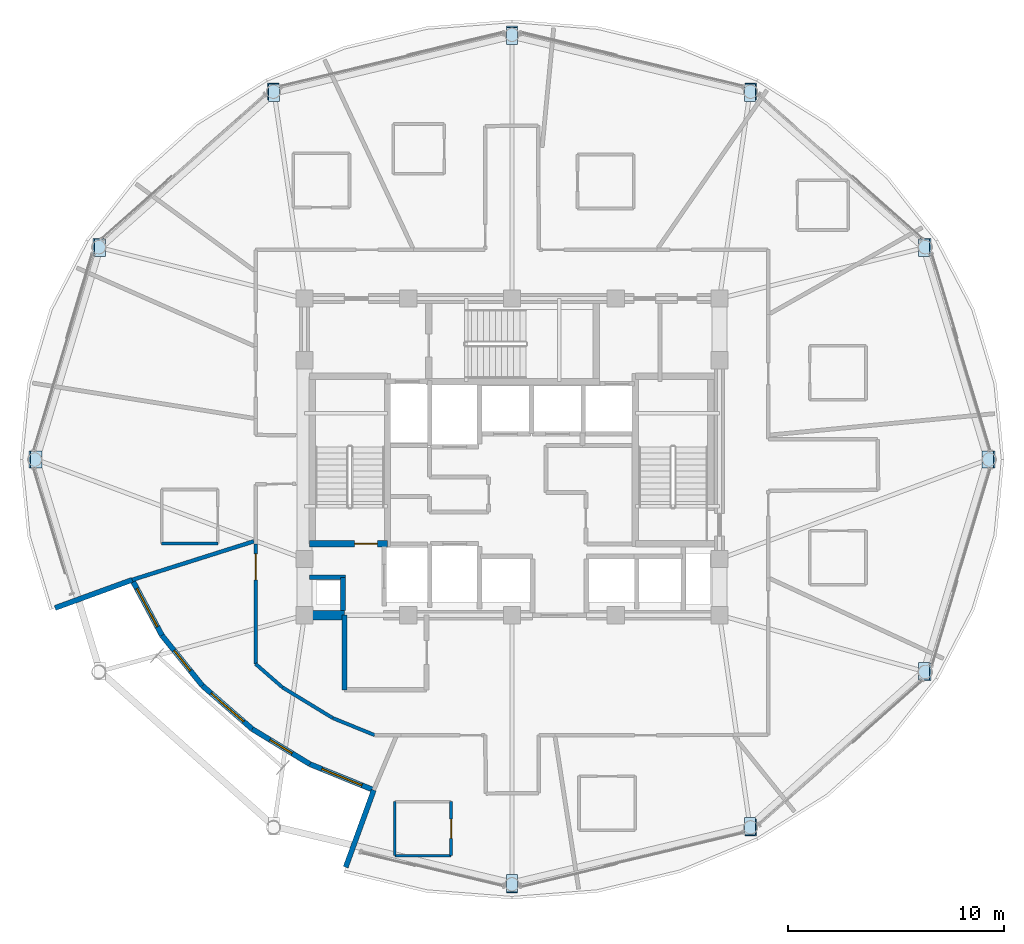
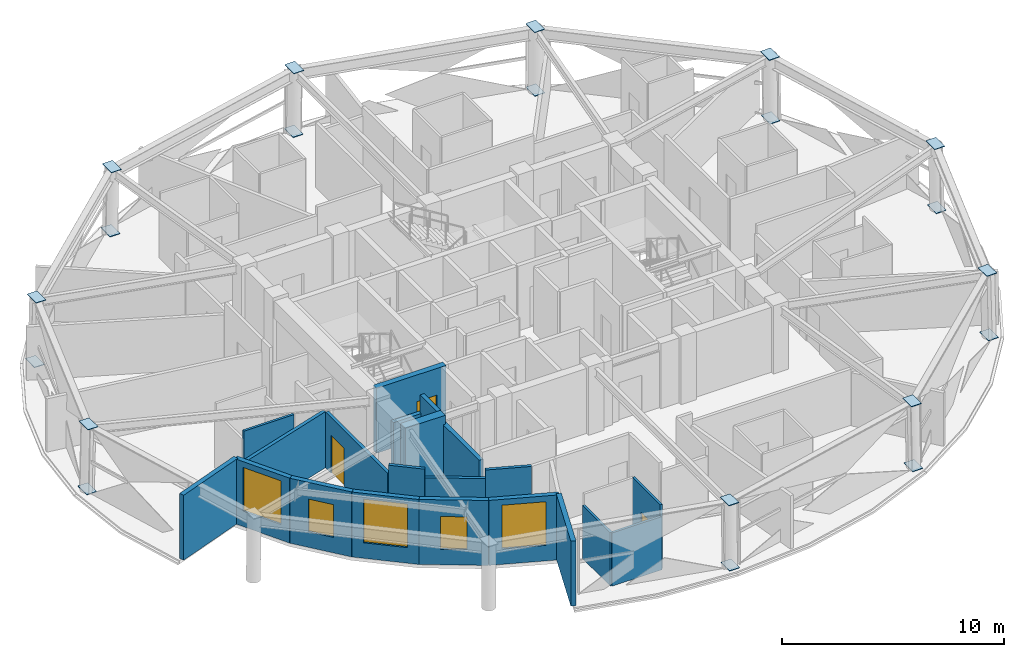
# One storey, part 10 of 18: 21 walls, 20 plates, 5 windows, 3 doors, 8 openings.
"""IFC4 building model written with IfcOpenShell, lengths in metres."""

from ifc_helpers import new_model, si_unit, direction, frame, frame_2d, origin, place, context, subcontext, project, spatial, polyline, rectangle, outline, extrude, material, layer, layer_set, type_object, element, fill, save


model = new_model("IFC4")

# Units and contexts
model_context = context("Model", 3, precision=1e-05, world=origin(), true_north=direction((0.0, 1.0)))
body_context = subcontext(model_context, "Body", "Model", "MODEL_VIEW")
ifc_project = project(units=[si_unit("LENGTHUNIT", "METRE"), si_unit("AREAUNIT", "SQUARE_METRE"), si_unit("VOLUMEUNIT", "CUBIC_METRE"), si_unit("PLANEANGLEUNIT", "RADIAN"), si_unit("MASSUNIT", "GRAM", prefix="KILO")], contexts=[model_context])

# Site, building, storey
site_placement = place(None, origin())
site = spatial("IfcSite", under=ifc_project, at=site_placement, CompositionType="ELEMENT")
building_placement = place(site_placement, origin())
building = spatial("IfcBuilding", under=site, at=building_placement, Name="Vantalir Tower", CompositionType="ELEMENT")
storey_placement = place(building_placement, frame((0.0, 0.0, 216.14990234375)))
storey = spatial("IfcBuildingStorey", under=building, at=storey_placement, Name="L54", CompositionType="ELEMENT", Elevation=216.14990234375)

# Plates
ifc_material_1 = material(Name="Steel S460", Category="steel")
ifc_layer_1 = layer(ifc_material_1, 0.031982421875)
ifc_layer_set_1 = layer_set([ifc_layer_1], Name="Steel S460")
plate_type = type_object("IfcPlateType", Name="PLT-KN-Z3", PredefinedType="USERDEFINED", material=ifc_layer_set_1)
plate_1_placement = place(storey_placement, frame((53.25244140625, 25.39990234375, 3.588623046875), z_axis=(-0.020652870937, 0.0, 0.999786706714), x_axis=(0.0, -1.0, 0.0)))
element("IfcPlate", 1, at=plate_1_placement, inside=storey, type_object=plate_type, Name="L54 Ring Column Top Cap RC01", ObjectType="FLANGE_PLATE", PredefinedType="USERDEFINED", context=body_context, shape_type="SweptSolid", body=[
    extrude(outline(polyline([(0.0, 0.0), (0.7998046875, 0.0), (0.7998046875, 0.5201304715874229), (0.0, 0.5201304715874229), (0.0, 0.0)])), origin(), (0.0, 0.0, -1.0), 0.031982421875),
])
plate_2_placement = place(storey_placement, frame((53.325927734375, 25.39990234375, 0.047607421875), z_axis=(-0.021122047282, 0.0, 0.999776904674), x_axis=(0.0, -1.0, 0.0)))
element("IfcPlate", 2, at=plate_2_placement, inside=storey, type_object=plate_type, Name="L54 Ring Column Base Cap RC01", ObjectType="FLANGE_PLATE", PredefinedType="USERDEFINED", context=body_context, shape_type="SweptSolid", body=[
    extrude(outline(polyline([(0.0, 0.0), (0.7998046875, 0.0), (0.7998046875, 0.5201355710650252), (0.0, 0.5201355710650252), (0.0, 0.0)])), origin(), (0.0, 0.0, -1.0), 0.031982421875),
])
for number, where, z_axis, x_axis, name in (
    (3, (50.3037109375, 35.19775390625, 3.593017578125), (-0.017847291684, -0.008849151639, 0.999801563659), (-2.4104e-08, -0.999960833011, -0.008850561748), "L54 Ring Column Top Cap RC02"),
    (4, (50.3671875, 35.2294921875, 0.052001953125), (-0.017847291684, -0.008849151639, 0.999801563659), (-2.4104e-08, -0.999960833011, -0.008850561748), "L54 Ring Column Base Cap RC02"),
):
    element("IfcPlate", number, at=place(storey_placement, frame(where, z_axis=z_axis, x_axis=x_axis)), inside=storey, type_object=plate_type, Name=name, ObjectType="FLANGE_PLATE", PredefinedType="USERDEFINED", context=body_context, shape_type="SweptSolid", body=[
        extrude(outline(polyline([(0.0, 0.0), (0.7998360242275051, 0.0), (0.7999980330580447, 0.51985821063348), (-8.212223220727267e-05, 0.5198581720634957), (0.0, 0.0)])), origin(), (0.0, 0.0, -1.0), 0.031982421875),
    ])
plate_3_placement = place(storey_placement, frame((42.245849609375, 42.37060546875, 3.59765625), z_axis=(-0.010570137112, -0.015715172528, 0.999820636691), x_axis=(-1.638126e-06, -0.999876494978, -0.015716067827)))
element("IfcPlate", 5, at=plate_3_placement, inside=storey, type_object=plate_type, Name="L54 Ring Column Top Cap RC03", ObjectType="FLANGE_PLATE", PredefinedType="USERDEFINED", context=body_context, shape_type="SweptSolid", body=[
    extrude(outline(polyline([(0.0, 0.0), (0.7999054279967629, -2.710505431213761e-20), (0.8000604376073418, 0.5198057404120908), (-8.526393120597289e-05, 0.519803119180468), (0.0, 0.0)])), origin(), (0.0, 0.0, -1.0), 0.031982421875),
])
plate_4_placement = place(storey_placement, frame((42.283447265625, 42.42626953125, 0.056640625), z_axis=(-0.010565175161, -0.015715173353, 0.999820689124), x_axis=(-1.586198e-06, -0.999876494987, -0.01571606727)))
element("IfcPlate", 6, at=plate_4_placement, inside=storey, type_object=plate_type, Name="L54 Ring Column Base Cap RC03", ObjectType="FLANGE_PLATE", PredefinedType="USERDEFINED", context=body_context, shape_type="SweptSolid", body=[
    extrude(outline(polyline([(0.0, 0.0), (0.8001495384691698, -2.710505431213761e-20), (0.8000604642143068, 0.5200498258562347), (0.00015887314803169925, 0.5200472877174493), (0.0, 0.0)])), origin(), (0.0, 0.0, -1.0), 0.031982421875),
])
for number, where, z_axis, x_axis, name in (
    (7, (31.239990234375, 44.99560546875, 3.601318359375), (0.0, -0.018001354833, 0.999837962484), (0.0, -0.999837962484, -0.018001354833), "L54 Ring Column Top Cap RC04"),
    (8, (31.239990234375, 45.06005859375, 0.060302734375), (0.0, -0.018001354833, 0.999837962484), (0.0, -0.999837962484, -0.018001354833), "L54 Ring Column Base Cap RC04"),
):
    element("IfcPlate", number, at=place(storey_placement, frame(where, z_axis=z_axis, x_axis=x_axis)), inside=storey, type_object=plate_type, Name=name, ObjectType="FLANGE_PLATE", PredefinedType="USERDEFINED", context=body_context, shape_type="SweptSolid", body=[
        extrude(outline(polyline([(0.0, 0.0), (0.8001784870593867, 0.0), (0.8001784870593867, 0.52001953125), (0.0, 0.52001953125), (0.0, 0.0)])), origin(), (0.0, 0.0, -1.0), 0.031982421875),
    ])
plate_5_placement = place(storey_placement, frame((20.234375, 42.37060546875, 3.60302734375), z_axis=(0.010335341393, -0.015562673375, 0.999825476729), x_axis=(-2.4539e-08, -0.999878881331, -0.015563504385)))
element("IfcPlate", 9, at=plate_5_placement, inside=storey, type_object=plate_type, Name="L54 Ring Column Top Cap RC05", ObjectType="FLANGE_PLATE", PredefinedType="USERDEFINED", context=body_context, shape_type="SweptSolid", body=[
    extrude(outline(polyline([(0.0, 0.0), (0.8001457111436877, 2.710505431213761e-20), (0.7999851803752375, 0.5198031734977682), (8.358028656228745e-05, 0.5198031342327298), (0.0, 0.0)])), origin(), (0.0, 0.0, -1.0), 0.031982421875),
])
plate_6_placement = place(storey_placement, frame((20.197509765625, 42.426025390625, 0.06201171875), z_axis=(0.010330489638, -0.015562674155, 0.999825526858), x_axis=(2.4535e-08, -0.999878881323, -0.015563504892)))
element("IfcPlate", 10, at=plate_6_placement, inside=storey, type_object=plate_type, Name="L54 Ring Column Base Cap RC05", ObjectType="FLANGE_PLATE", PredefinedType="USERDEFINED", context=body_context, shape_type="SweptSolid", body=[
    extrude(outline(polyline([(0.0, 0.0), (0.7999016000886763, 5.421010862427522e-20), (0.7999852058909894, 0.5200472618291553), (-0.00016050525269729725, 0.5200473010877383), (0.0, 0.0)])), origin(), (0.0, 0.0, -1.0), 0.031982421875),
])
for number, where, z_axis, x_axis, name in (
    (11, (12.176513671875, 35.19775390625, 3.602294921875), (0.017847291684, -0.008849151639, 0.999801563659), (-2.4096e-08, -0.999960833019, -0.008850560888), "L54 Ring Column Top Cap RC06"),
    (12, (12.113037109375, 35.2294921875, 0.061279296875), (0.017847291684, -0.008849151639, 0.999801563659), (-2.4096e-08, -0.999960833019, -0.008850560888), "L54 Ring Column Base Cap RC06"),
):
    element("IfcPlate", number, at=place(storey_placement, frame(where, z_axis=z_axis, x_axis=x_axis)), inside=storey, type_object=plate_type, Name=name, ObjectType="FLANGE_PLATE", PredefinedType="USERDEFINED", context=body_context, shape_type="SweptSolid", body=[
        extrude(outline(polyline([(0.0, 0.0), (0.8000801552902528, 2.710505431213761e-20), (0.7999181213985704, 0.5198582106256695), (8.209717106629035e-05, 0.519858172067454), (0.0, 0.0)])), origin(), (0.0, 0.0, -1.0), 0.031982421875),
    ])
plate_7_placement = place(storey_placement, frame((9.2275390625, 25.39990234375, 3.599365234375), z_axis=(0.020652870937, 0.0, 0.999786706714), x_axis=(0.0, -1.0, 0.0)))
element("IfcPlate", 13, at=plate_7_placement, inside=storey, type_object=plate_type, Name="L54 Ring Column Top Cap RC07", ObjectType="FLANGE_PLATE", PredefinedType="USERDEFINED", context=body_context, shape_type="SweptSolid", body=[
    extrude(outline(polyline([(0.0, 0.0), (0.7998046875, 0.0), (0.7998046875, 0.5201304715874229), (0.0, 0.5201304715874229), (0.0, 0.0)])), origin(), (0.0, 0.0, -1.0), 0.031982421875),
])
plate_8_placement = place(storey_placement, frame((9.154052734375, 25.39990234375, 0.05859375), z_axis=(0.021122047282, 0.0, 0.999776904674), x_axis=(0.0, -1.0, 0.0)))
element("IfcPlate", 14, at=plate_8_placement, inside=storey, type_object=plate_type, Name="L54 Ring Column Base Cap RC07", ObjectType="FLANGE_PLATE", PredefinedType="USERDEFINED", context=body_context, shape_type="SweptSolid", body=[
    extrude(outline(polyline([(0.0, 0.0), (0.7998046875, 0.0), (0.7998046875, 0.5201355710650252), (0.0, 0.5201355710650252), (0.0, 0.0)])), origin(), (0.0, 0.0, -1.0), 0.031982421875),
])
for number, where, z_axis, x_axis, name in (
    (15, (31.239990234375, 5.804443359375, 3.5869140625), (0.0, 0.018001354833, 0.999837962484), (0.0, -0.999837962484, 0.018001354833), "L54 Ring Column Top Cap RC10"),
    (16, (31.239990234375, 5.739990234375, 0.0458984375), (0.0, 0.018001354833, 0.999837962484), (0.0, -0.999837962484, 0.018001354833), "L54 Ring Column Base Cap RC10"),
):
    element("IfcPlate", number, at=place(storey_placement, frame(where, z_axis=z_axis, x_axis=x_axis)), inside=storey, type_object=plate_type, Name=name, ObjectType="FLANGE_PLATE", PredefinedType="USERDEFINED", context=body_context, shape_type="SweptSolid", body=[
        extrude(outline(polyline([(0.0, 0.0), (0.8001784870593867, 0.0), (0.8001784870593867, 0.52001953125), (0.0, 0.52001953125), (0.0, 0.0)])), origin(), (0.0, 0.0, -1.0), 0.031982421875),
    ])
plate_9_placement = place(storey_placement, frame((42.245849609375, 8.42919921875, 3.5849609375), z_axis=(-0.010570137112, 0.015715172528, 0.999820636691), x_axis=(1.638126e-06, -0.999876494978, 0.015716067827)))
element("IfcPlate", 17, at=plate_9_placement, inside=storey, type_object=plate_type, Name="L54 Ring Column Top Cap RC11", ObjectType="FLANGE_PLATE", PredefinedType="USERDEFINED", context=body_context, shape_type="SweptSolid", body=[
    extrude(outline(polyline([(0.0, 0.0), (0.7999054279967629, 2.710505431213761e-20), (0.7999906919279689, 0.5198031191804678), (-0.00015500961057894925, 0.5198057404120908), (0.0, 0.0)])), origin(), (0.0, 0.0, -1.0), 0.031982421875),
])
plate_10_placement = place(storey_placement, frame((42.283447265625, 8.373779296875, 0.0439453125), z_axis=(-0.010565175161, 0.015715173353, 0.999820689124), x_axis=(1.586198e-06, -0.999876494987, 0.01571606727)))
element("IfcPlate", 18, at=plate_10_placement, inside=storey, type_object=plate_type, Name="L54 Ring Column Base Cap RC11", ObjectType="FLANGE_PLATE", PredefinedType="USERDEFINED", context=body_context, shape_type="SweptSolid", body=[
    extrude(outline(polyline([(0.0, 0.0), (0.8001495384691698, 2.710505431213761e-20), (0.799990665321138, 0.5200472877174493), (8.907425486306565e-05, 0.5200498258562346), (0.0, 0.0)])), origin(), (0.0, 0.0, -1.0), 0.031982421875),
])
plate_11_placement = place(storey_placement, frame((50.3037109375, 15.60205078125, 3.585693359375), z_axis=(-0.018082053177, 0.009306788433, 0.999793190136), x_axis=(-2.733406e-06, -0.999956677198, 0.009308260851)))
element("IfcPlate", 19, at=plate_11_placement, inside=storey, type_object=plate_type, Name="L54 Ring Column Top Cap RC12", ObjectType="FLANGE_PLATE", PredefinedType="USERDEFINED", context=body_context, shape_type="SweptSolid", body=[
    extrude(outline(polyline([(0.0, 0.0), (0.7998382134583768, 0.0), (0.7999254211613799, 0.5198625713973922), (-0.00015919486976276288, 0.5198581974433824), (0.0, 0.0)])), origin(), (0.0, 0.0, -1.0), 0.031982421875),
])
plate_12_placement = place(storey_placement, frame((50.3671875, 15.5693359375, 0.044677734375), z_axis=(-0.017847335257, 0.009459385088, 0.999795975516), x_axis=(2.5766e-08, -0.999955244756, 0.009460892445)))
element("IfcPlate", 20, at=plate_12_placement, inside=storey, type_object=plate_type, Name="L54 Ring Column Base Cap RC12", ObjectType="FLANGE_PLATE", PredefinedType="USERDEFINED", context=body_context, shape_type="SweptSolid", body=[
    extrude(outline(polyline([(0.0, 0.0), (0.7998404954797353, 2.710505431213761e-20), (0.7999282808235328, 0.5198581711378856), (-0.00015634435462925776, 0.519858212367739), (0.0, 0.0)])), origin(), (0.0, 0.0, -1.0), 0.031982421875),
])

# Walls
ifc_material_2 = material(Name="Moisture-resistant en-suite partition", Category="gypsum")
ifc_layer_2 = layer(ifc_material_2, 0.125)
ifc_layer_set_2 = layer_set([ifc_layer_2], Name="Moisture-resistant en-suite partition")
wall_type_1 = type_object("IfcWallType", Name="WL-BATH-125", PredefinedType="PARTITIONING", material=ifc_layer_set_2)
wall_1_placement = place(storey_placement, frame((15.291015625, 21.112060546875, 0.0), z_axis=(0.0, 0.0, 1.0), x_axis=(1.0, 0.0, 0.0)))
element("IfcWall", 21, at=wall_1_placement, inside=storey, type_object=wall_type_1, Name="L54 En-suite 08 South Wall", PredefinedType="PARTITIONING", context=body_context, shape_type="SweptSolid", body=[
    extrude(rectangle(XDim=2.60009765625, YDim=0.125, at=frame_2d((1.300048828125, 0.0))), origin(), (0.0, 0.0, 1.0), 3.550048828125),
])
wall_2_placement = place(storey_placement, frame((26.08203125, 6.6708984375, 0.0), z_axis=(0.0, 0.0, 1.0), x_axis=(1.0, 0.0, 0.0)))
element("IfcWall", 22, at=wall_2_placement, inside=storey, type_object=wall_type_1, Name="L54 En-suite 10 South Wall", PredefinedType="PARTITIONING", context=body_context, shape_type="SweptSolid", body=[
    extrude(rectangle(XDim=2.599853515625, YDim=0.125, at=frame_2d((1.2998046875, 0.0))), origin(), (0.0, 0.0, 1.0), 2.925048828125),
])
wall_3_placement = place(storey_placement, frame((26.08203125, 6.6708984375, 0.0), z_axis=(0.0, 0.0, 1.0), x_axis=(0.0, 1.0, 0.0)))
element("IfcWall", 23, at=wall_3_placement, inside=storey, type_object=wall_type_1, Name="L54 En-suite 10 West Wall", PredefinedType="PARTITIONING", context=body_context, shape_type="SweptSolid", body=[
    extrude(rectangle(XDim=2.5, YDim=0.125, at=frame_2d((1.25, 0.0))), origin(), (0.0, 0.0, 1.0), 2.925048828125),
])

# Wall, opening, door
wall_4_placement = place(storey_placement, frame((28.681884765625, 6.6708984375, 0.0), z_axis=(0.0, 0.0, 1.0), x_axis=(0.0, 1.0, 0.0)))
wall_4 = element("IfcWall", 24, at=wall_4_placement, inside=storey, type_object=wall_type_1, Name="L54 En-suite 10 East Wall", PredefinedType="PARTITIONING", context=body_context, shape_type="SweptSolid", body=[
    extrude(rectangle(XDim=2.5, YDim=0.125, at=frame_2d((1.25, 0.0))), origin(), (0.0, 0.0, 1.0), 3.550048828125),
])
opening_1_placement = place(wall_4_placement, frame((0.800048828125, 0.0, 0.0)))
opening_1 = element("IfcOpeningElement", 25, at=opening_1_placement, cuts=wall_4, Name="Opening D-WC", PredefinedType="OPENING", context=body_context, shape_type="SweptSolid", body=[
    extrude(rectangle(XDim=0.89990234375, YDim=2.10009765625, at=frame_2d((0.449951171875, 1.050048828125))), frame((0.0, 0.072509765625, 0.0), z_axis=(0.0, -1.0, 0.0), x_axis=(1.0, 0.0, 0.0)), (0.0, 0.0, 1.0), 0.14501953125),
])
ifc_material_3 = material(Name="Moisture-resistant hardwood door", Category="wood")
door_type_1 = type_object("IfcDoorType", Name="DR-ENSUITE-900", OperationType="NOTDEFINED", PredefinedType="DOOR", material=ifc_material_3)
door_1_placement = place(opening_1_placement, origin())
door_1 = element("IfcDoor", 26, at=door_1_placement, inside=storey, type_object=door_type_1, Name="L54 En-suite 10 Door", OperationType="SINGLE_SWING_LEFT", OverallHeight=2.10009765625, OverallWidth=0.89990234375, PredefinedType="DOOR", context=body_context, shape_type="SweptSolid", body=[
    extrude(rectangle(XDim=0.89990234375, YDim=2.10009765625, at=frame_2d((0.449951171875, 1.050048828125))), frame((0.0, 0.02490234375, 0.0), z_axis=(0.0, -1.0, 0.0), x_axis=(1.0, 0.0, 0.0)), (0.0, 0.0, 1.0), 0.050048828125),
])
fill(opening_1, door_1)

# Walls
ifc_material_4 = material(Name="Concrete C50/60", Category="concrete")
ifc_layer_3 = layer(ifc_material_4, 0.449951171875)
ifc_layer_set_3 = layer_set([ifc_layer_3], Name="Concrete C50/60")
wall_type_2 = type_object("IfcWallType", Name="WL-CORE-450", PredefinedType="SHEAR", material=ifc_layer_set_3)
wall_5_placement = place(storey_placement, frame((21.675048828125, 17.800048828125, 0.0), z_axis=(0.0, 0.0, 1.0), x_axis=(1.0, 0.0, 0.0)))
element("IfcWall", 27, at=wall_5_placement, inside=storey, type_object=wall_type_2, Name="L54 Core Shear Wall South-West", PredefinedType="SHEAR", context=body_context, shape_type="SweptSolid", body=[
    extrude(rectangle(XDim=2.074951171875, YDim=0.449951171875, at=frame_2d((1.03759765625, 0.0))), origin(), (0.0, 0.0, 1.0), 3.570068359375),
])
ifc_material_5 = material(Name="Fire-rated hotel corridor acoustic partition", Category="gypsum")
ifc_layer_4 = layer(ifc_material_5, 0.159912109375)
ifc_layer_set_4 = layer_set([ifc_layer_4], Name="Fire-rated hotel corridor acoustic partition")
wall_type_3 = type_object("IfcWallType", Name="WL-CORR-160", PredefinedType="PARTITIONING", material=ifc_layer_set_4)
wall_6_placement = place(storey_placement, frame((25.14697265625, 12.251953125, 0.0), z_axis=(0.0, 0.0, 1.0), x_axis=(-0.926367254425, 0.376621441143, 0.0)))
element("IfcWall", 28, at=wall_6_placement, inside=storey, type_object=wall_type_3, Name="L54 Corridor Partition 29", PredefinedType="PARTITIONING", context=body_context, shape_type="SweptSolid", body=[
    extrude(rectangle(XDim=2.08984375, YDim=0.159912109375, at=frame_2d((1.044921875, 0.0))), origin(), (0.0, 0.0, 1.0), 3.550048828125),
])
wall_7_placement = place(storey_placement, frame((23.2109375, 13.0390625, 0.0), z_axis=(0.0, 0.0, 1.0), x_axis=(-0.853752527211, 0.520679001191, 0.0)))
element("IfcWall", 29, at=wall_7_placement, inside=storey, type_object=wall_type_3, Name="L54 Corridor Partition 30", PredefinedType="PARTITIONING", context=body_context, shape_type="SweptSolid", body=[
    extrude(rectangle(XDim=2.72900390625, YDim=0.159912109375, at=frame_2d((1.364501953125, 0.0))), origin(), (0.0, 0.0, 1.0), 3.0810546875),
])
wall_8_placement = place(storey_placement, frame((20.881103515625, 14.4599609375, 0.0), z_axis=(0.0, 0.0, 1.0), x_axis=(-0.753163265412, 0.657833638265, 0.0)))
element("IfcWall", 30, at=wall_8_placement, inside=storey, type_object=wall_type_3, Name="L54 Corridor Partition 31", PredefinedType="PARTITIONING", context=body_context, shape_type="SweptSolid", body=[
    extrude(rectangle(XDim=1.6494140625, YDim=0.159912109375, at=frame_2d((0.82470703125, 0.0))), origin(), (0.0, 0.0, 1.0), 3.550048828125),
])

# Wall, opening, door
wall_9_placement = place(storey_placement, frame((19.638916015625, 15.544921875, 0.0), z_axis=(0.0, 0.0, 1.0), x_axis=(-0.000352159154, 0.999999937992, 0.0)))
wall_9 = element("IfcWall", 31, at=wall_9_placement, inside=storey, type_object=wall_type_3, Name="L54 Corridor Partition 32", PredefinedType="PARTITIONING", context=body_context, shape_type="SweptSolid", body=[
    extrude(rectangle(XDim=5.546142578125, YDim=0.159912109375, at=frame_2d((2.77294921875, 0.0))), origin(), (0.0, 0.0, 1.0), 3.0810546875),
])
opening_2_placement = place(wall_9_placement, frame((3.887939453125, 0.0, 0.0)))
opening_2 = element("IfcOpeningElement", 32, at=opening_2_placement, cuts=wall_9, Name="Opening D-STE", PredefinedType="OPENING", context=body_context, shape_type="SweptSolid", body=[
    extrude(rectangle(XDim=1.199951171875, YDim=2.10009765625, at=frame_2d((0.60009765625, 1.050048828125))), frame((0.0, 0.08984375, 0.0), z_axis=(0.0, -1.0, 0.0), x_axis=(1.0, 0.0, 0.0)), (0.0, 0.0, 1.0), 0.179931640625),
])
ifc_material_6 = material(Name="Solid-core teak veneer suite entrance door", Category="wood")
door_type_2 = type_object("IfcDoorType", Name="DR-SUITE-ENTRY-1200", OperationType="NOTDEFINED", PredefinedType="DOOR", material=ifc_material_6)
door_2_placement = place(opening_2_placement, origin())
door_2 = element("IfcDoor", 33, at=door_2_placement, inside=storey, type_object=door_type_2, Name="L54 Sky Garden Conservatory Lounge 09 Door", OperationType="SINGLE_SWING_RIGHT", OverallHeight=2.10009765625, OverallWidth=1.199951171875, PredefinedType="DOOR", context=body_context, shape_type="SweptSolid", body=[
    extrude(rectangle(XDim=1.199951171875, YDim=2.10009765625, at=frame_2d((0.60009765625, 1.050048828125))), frame((0.0, 0.02490234375, 0.0), z_axis=(0.0, -1.0, 0.0), x_axis=(1.0, 0.0, 0.0)), (0.0, 0.0, 1.0), 0.050048828125),
])
fill(opening_2, door_2)

# Walls
ifc_material_7 = material(Name="Precast concrete C40/50 insulated sky-garden wall", Category="concrete")
ifc_layer_5 = layer(ifc_material_7, 0.239990234375)
ifc_layer_set_5 = layer_set([ifc_layer_5], Name="Precast concrete C40/50 insulated sky-garden wall")
wall_type_4 = type_object("IfcWallType", Name="WL-EXT-SG-240", PredefinedType="SOLIDWALL", material=ifc_layer_set_5)
for number, where, z_axis, x_axis, name in (
    (34, (10.360107421875, 18.135009765625, 0.0), (0.0, 0.0, 1.0), (0.939660170892, 0.342109285519, 0.0), "L54 SG3 Sky-Garden Return Wall A"),
    (35, (25.10498046875, 9.7099609375, 0.0), (0.0, 0.0, 1.0), (-0.34186170747, -0.939750271596, 0.0), "L54 SG3 Sky-Garden Return Wall B"),
):
    element("IfcWall", number, at=place(storey_placement, frame(where, z_axis=z_axis, x_axis=x_axis)), inside=storey, type_object=wall_type_4, Name=name, PredefinedType="SOLIDWALL", context=body_context, shape_type="SweptSolid", body=[
        extrude(rectangle(XDim=3.800048828125, YDim=0.239990234375, at=frame_2d((1.89990234375, 0.0))), origin(), (0.0, 0.0, 1.0), 3.570068359375),
    ])

# Wall, opening, window
wall_10_placement = place(storey_placement, frame((13.930908203125, 19.43505859375, 0.0), z_axis=(0.0, 0.0, 1.0), x_axis=(0.472181923686, -0.88150112362, 0.0)))
wall_10 = element("IfcWall", 36, at=wall_10_placement, inside=storey, type_object=wall_type_4, Name="L54 SG3 Sky-Garden Lounge Wall 1", PredefinedType="SOLIDWALL", context=body_context, shape_type="SweptSolid", body=[
    extrude(rectangle(XDim=2.916748046875, YDim=0.239990234375, at=frame_2d((1.45849609375, 0.0))), origin(), (0.0, 0.0, 1.0), 3.570068359375),
])
opening_3_placement = place(wall_10_placement, frame((0.4580078125, 0.0, 0.85009765625)))
opening_3 = element("IfcOpeningElement", 37, at=opening_3_placement, cuts=wall_10, Name="Opening WN-3", PredefinedType="OPENING", context=body_context, shape_type="SweptSolid", body=[
    extrude(rectangle(XDim=2.0, YDim=2.39990234375, at=frame_2d((1.0, 1.199951171875))), frame((0.0, 0.1298828125, 0.0), z_axis=(0.0, -1.0, 0.0), x_axis=(1.0, 0.0, 0.0)), (0.0, 0.0, 1.0), 0.260009765625),
])
ifc_material_8 = material(Name="Double-silver Low-E sky-garden lounge window", Category="glass")
window_type_1 = type_object("IfcWindowType", Name="WIN-SG-2000x2400", PartitioningType="SINGLE_PANEL", PredefinedType="WINDOW", material=ifc_material_8)
window_1_placement = place(opening_3_placement, origin())
window_1 = element("IfcWindow", 38, at=window_1_placement, inside=storey, type_object=window_type_1, Name="L54 SG3 Sky-Garden Window 1", OverallHeight=2.39990234375, OverallWidth=2.0, PartitioningType="SINGLE_PANEL", PredefinedType="WINDOW", context=body_context, shape_type="SweptSolid", body=[
    extrude(rectangle(XDim=2.0, YDim=2.39990234375, at=frame_2d((1.0, 1.199951171875))), frame((0.0, 0.030029296875, 0.0), z_axis=(0.0, -1.0, 0.0), x_axis=(1.0, 0.0, 0.0)), (0.0, 0.0, 1.0), 0.06005859375),
])
fill(opening_3, window_1)

wall_11_placement = place(storey_placement, frame((15.30810546875, 16.864013671875, 0.0), z_axis=(0.0, 0.0, 1.0), x_axis=(0.626839705348, -0.779148242506, 0.0)))
wall_11 = element("IfcWall", 39, at=wall_11_placement, inside=storey, type_object=wall_type_4, Name="L54 SG3 Sky-Garden Lounge Wall 2", PredefinedType="SOLIDWALL", context=body_context, shape_type="SweptSolid", body=[
    extrude(rectangle(XDim=2.9814453125, YDim=0.239990234375, at=frame_2d((1.49072265625, 0.0))), origin(), (0.0, 0.0, 1.0), 3.570068359375),
])
opening_4_placement = place(wall_11_placement, frame((0.89111328125, 0.0, 0.85009765625)))
opening_4 = element("IfcOpeningElement", 40, at=opening_4_placement, cuts=wall_11, Name="Opening WN-4", PredefinedType="OPENING", context=body_context, shape_type="SweptSolid", body=[
    extrude(rectangle(XDim=1.199951171875, YDim=1.800048828125, at=frame_2d((0.60009765625, 0.89990234375))), frame((0.0, 0.1298828125, 0.0), z_axis=(0.0, -1.0, 0.0), x_axis=(1.0, 0.0, 0.0)), (0.0, 0.0, 1.0), 0.260009765625),
])
ifc_material_9 = material(Name="Operable smoke-vent Low-E window", Category="glass")
window_type_2 = type_object("IfcWindowType", Name="WIN-SG-1200x1800", PartitioningType="SINGLE_PANEL", PredefinedType="WINDOW", material=ifc_material_9)
window_2_placement = place(opening_4_placement, origin())
window_2 = element("IfcWindow", 41, at=window_2_placement, inside=storey, type_object=window_type_2, Name="L54 SG3 Sky-Garden Window 2", OverallHeight=1.800048828125, OverallWidth=1.199951171875, PartitioningType="SINGLE_PANEL", PredefinedType="WINDOW", context=body_context, shape_type="SweptSolid", body=[
    extrude(rectangle(XDim=1.199951171875, YDim=1.800048828125, at=frame_2d((0.60009765625, 0.89990234375))), frame((0.0, 0.030029296875, 0.0), z_axis=(0.0, -1.0, 0.0), x_axis=(1.0, 0.0, 0.0)), (0.0, 0.0, 1.0), 0.06005859375),
])
fill(opening_4, window_2)

wall_12_placement = place(storey_placement, frame((17.177001953125, 14.541015625, 0.0), z_axis=(0.0, 0.0, 1.0), x_axis=(0.754469591688, -0.656335002281, 0.0)))
wall_12 = element("IfcWall", 42, at=wall_12_placement, inside=storey, type_object=wall_type_4, Name="L54 SG3 Sky-Garden Lounge Wall 3", PredefinedType="SOLIDWALL", context=body_context, shape_type="SweptSolid", body=[
    extrude(rectangle(XDim=3.054931640625, YDim=0.239990234375, at=frame_2d((1.52734375, 0.0))), origin(), (0.0, 0.0, 1.0), 3.570068359375),
])
opening_5_placement = place(wall_12_placement, frame((0.528076171875, 0.0, 0.85009765625)))
opening_5 = element("IfcOpeningElement", 43, at=opening_5_placement, cuts=wall_12, Name="Opening WN-3", PredefinedType="OPENING", context=body_context, shape_type="SweptSolid", body=[
    extrude(rectangle(XDim=2.0, YDim=2.39990234375, at=frame_2d((1.0, 1.199951171875))), frame((0.0, 0.1298828125, 0.0), z_axis=(0.0, -1.0, 0.0), x_axis=(1.0, 0.0, 0.0)), (0.0, 0.0, 1.0), 0.260009765625),
])
window_3_placement = place(opening_5_placement, origin())
window_3 = element("IfcWindow", 44, at=window_3_placement, inside=storey, type_object=window_type_1, Name="L54 SG3 Sky-Garden Window 3", OverallHeight=2.39990234375, OverallWidth=2.0, PartitioningType="SINGLE_PANEL", PredefinedType="WINDOW", context=body_context, shape_type="SweptSolid", body=[
    extrude(rectangle(XDim=2.0, YDim=2.39990234375, at=frame_2d((1.0, 1.199951171875))), frame((0.0, 0.030029296875, 0.0), z_axis=(0.0, -1.0, 0.0), x_axis=(1.0, 0.0, 0.0)), (0.0, 0.0, 1.0), 0.06005859375),
])
fill(opening_5, window_3)

wall_13_placement = place(storey_placement, frame((19.48193359375, 12.535888671875, 0.0), z_axis=(0.0, 0.0, 1.0), x_axis=(0.853860524169, -0.520501878253, 0.0)))
wall_13 = element("IfcWall", 45, at=wall_13_placement, inside=storey, type_object=wall_type_4, Name="L54 SG3 Sky-Garden Lounge Wall 4", PredefinedType="SOLIDWALL", context=body_context, shape_type="SweptSolid", body=[
    extrude(rectangle(XDim=3.125732421875, YDim=0.239990234375, at=frame_2d((1.56298828125, 0.0))), origin(), (0.0, 0.0, 1.0), 3.570068359375),
])
opening_6_placement = place(wall_13_placement, frame((0.962890625, 0.0, 0.85009765625)))
opening_6 = element("IfcOpeningElement", 46, at=opening_6_placement, cuts=wall_13, Name="Opening WN-4", PredefinedType="OPENING", context=body_context, shape_type="SweptSolid", body=[
    extrude(rectangle(XDim=1.199951171875, YDim=1.800048828125, at=frame_2d((0.60009765625, 0.89990234375))), frame((0.0, 0.1298828125, 0.0), z_axis=(0.0, -1.0, 0.0), x_axis=(1.0, 0.0, 0.0)), (0.0, 0.0, 1.0), 0.260009765625),
])
window_4_placement = place(opening_6_placement, origin())
window_4 = element("IfcWindow", 47, at=window_4_placement, inside=storey, type_object=window_type_2, Name="L54 SG3 Sky-Garden Window 4", OverallHeight=1.800048828125, OverallWidth=1.199951171875, PartitioningType="SINGLE_PANEL", PredefinedType="WINDOW", context=body_context, shape_type="SweptSolid", body=[
    extrude(rectangle(XDim=1.199951171875, YDim=1.800048828125, at=frame_2d((0.60009765625, 0.89990234375))), frame((0.0, 0.030029296875, 0.0), z_axis=(0.0, -1.0, 0.0), x_axis=(1.0, 0.0, 0.0)), (0.0, 0.0, 1.0), 0.06005859375),
])
fill(opening_6, window_4)

wall_14_placement = place(storey_placement, frame((22.15087890625, 10.908935546875, 0.0), z_axis=(0.0, 0.0, 1.0), x_axis=(0.926590027223, -0.376073026752, 0.0)))
wall_14 = element("IfcWall", 48, at=wall_14_placement, inside=storey, type_object=wall_type_4, Name="L54 SG3 Sky-Garden Lounge Wall 5", PredefinedType="SOLIDWALL", context=body_context, shape_type="SweptSolid", body=[
    extrude(rectangle(XDim=3.188232421875, YDim=0.239990234375, at=frame_2d((1.59423828125, 0.0))), origin(), (0.0, 0.0, 1.0), 3.570068359375),
])
opening_7_placement = place(wall_14_placement, frame((0.593994140625, 0.0, 0.85009765625)))
opening_7 = element("IfcOpeningElement", 49, at=opening_7_placement, cuts=wall_14, Name="Opening WN-3", PredefinedType="OPENING", context=body_context, shape_type="SweptSolid", body=[
    extrude(rectangle(XDim=2.0, YDim=2.39990234375, at=frame_2d((1.0, 1.199951171875))), frame((0.0, 0.1298828125, 0.0), z_axis=(0.0, -1.0, 0.0), x_axis=(1.0, 0.0, 0.0)), (0.0, 0.0, 1.0), 0.260009765625),
])
window_5_placement = place(opening_7_placement, origin())
window_5 = element("IfcWindow", 50, at=window_5_placement, inside=storey, type_object=window_type_1, Name="L54 SG3 Sky-Garden Window 5", OverallHeight=2.39990234375, OverallWidth=2.0, PartitioningType="SINGLE_PANEL", PredefinedType="WINDOW", context=body_context, shape_type="SweptSolid", body=[
    extrude(rectangle(XDim=2.0, YDim=2.39990234375, at=frame_2d((1.0, 1.199951171875))), frame((0.0, 0.030029296875, 0.0), z_axis=(0.0, -1.0, 0.0), x_axis=(1.0, 0.0, 0.0)), (0.0, 0.0, 1.0), 0.06005859375),
])
fill(opening_7, window_5)

# Walls
ifc_material_10 = material(Name="Concrete blockwork with fireboard lining", Category="masonry")
ifc_layer_6 = layer(ifc_material_10, 0.219970703125)
ifc_layer_set_6 = layer_set([ifc_layer_6], Name="Concrete blockwork with fireboard lining")
wall_type_5 = type_object("IfcWallType", Name="WL-FFL-220", PredefinedType="PARTITIONING", material=ifc_layer_set_6)
wall_15_placement = place(storey_placement, frame((23.679931640625, 18.02490234375, 0.0), z_axis=(0.0, 0.0, 1.0), x_axis=(0.0, 1.0, 0.0)))
element("IfcWall", 51, at=wall_15_placement, inside=storey, type_object=wall_type_5, Name="L54 West MEP Riser Wall E", PredefinedType="PARTITIONING", context=body_context, shape_type="SweptSolid", body=[
    extrude(rectangle(XDim=1.525146484375, YDim=0.219970703125, at=frame_2d((0.7626953125, 0.0))), origin(), (0.0, 0.0, 1.0), 3.550048828125),
])
wall_16_placement = place(storey_placement, frame((22.125, 19.550048828125, 0.0), z_axis=(0.0, 0.0, 1.0), x_axis=(1.0, 0.0, 0.0)))
element("IfcWall", 52, at=wall_16_placement, inside=storey, type_object=wall_type_5, Name="L54 West MEP Riser Wall N", PredefinedType="PARTITIONING", context=body_context, shape_type="SweptSolid", body=[
    extrude(rectangle(XDim=1.6650390625, YDim=0.219970703125, at=frame_2d((0.83251953125, 0.0))), origin(), (0.0, 0.0, 1.0), 2.59521484375),
])
wall_17_placement = place(storey_placement, frame((23.75, 14.35009765625, 0.0), z_axis=(0.0, 0.0, 1.0), x_axis=(0.0, 1.0, 0.0)))
element("IfcWall", 53, at=wall_17_placement, inside=storey, type_object=wall_type_5, Name="L54 Firefighting Lobby West Outer W", PredefinedType="PARTITIONING", context=body_context, shape_type="SweptSolid", body=[
    extrude(rectangle(XDim=3.449951171875, YDim=0.219970703125, at=frame_2d((1.72509765625, 0.0))), origin(), (0.0, 0.0, 1.0), 3.0810546875),
])
ifc_material_11 = material(Name="Twin-stud acoustic fire-rated gypsum partition", Category="gypsum")
ifc_layer_7 = layer(ifc_material_11, 0.179931640625)
ifc_layer_set_7 = layer_set([ifc_layer_7], Name="Twin-stud acoustic fire-rated gypsum partition")
wall_type_6 = type_object("IfcWallType", Name="WL-GUEST-180", PredefinedType="PARTITIONING", material=ifc_layer_set_7)
wall_18_placement = place(storey_placement, frame((19.56005859375, 21.218017578125, 0.0), z_axis=(0.0, 0.0, 1.0), x_axis=(-0.953322985511, -0.301952455358, 0.0)))
element("IfcWall", 54, at=wall_18_placement, inside=storey, type_object=wall_type_6, Name="L54 Radial Suite Partition 09", PredefinedType="PARTITIONING", context=body_context, shape_type="SweptSolid", body=[
    extrude(rectangle(XDim=5.90478515625, YDim=0.179931640625, at=frame_2d((2.952392578125, 0.0))), origin(), (0.0, 0.0, 1.0), 3.0810546875),
])

# Wall, opening, door
ifc_layer_8 = layer(ifc_material_4, 0.300048828125)
ifc_layer_set_8 = layer_set([ifc_layer_8], Name="Concrete C50/60")
wall_type_7 = type_object("IfcWallType", Name="WL-STAIR-300", PredefinedType="SHEAR", material=ifc_layer_set_8)
wall_19_placement = place(storey_placement, frame((22.125, 21.10009765625, 0.0), z_axis=(0.0, 0.0, 1.0), x_axis=(1.0, 0.0, 0.0)))
wall_19 = element("IfcWall", 55, at=wall_19_placement, inside=storey, type_object=wall_type_7, Name="L54 Stair ST1 South Wall", PredefinedType="SHEAR", context=body_context, shape_type="SweptSolid", body=[
    extrude(rectangle(XDim=3.614990234375, YDim=0.300048828125, at=frame_2d((1.8076171875, 0.0))), origin(), (0.0, 0.0, 1.0), 3.570068359375),
])
opening_8_placement = place(wall_19_placement, frame((2.094970703125, 0.0, 0.0)))
opening_8 = element("IfcOpeningElement", 56, at=opening_8_placement, cuts=wall_19, Name="Opening D-ST", PredefinedType="OPENING", context=body_context, shape_type="SweptSolid", body=[
    extrude(rectangle(XDim=1.050048828125, YDim=2.10009765625, at=frame_2d((0.52490234375, 1.050048828125))), frame((0.0, 0.159912109375, 0.0), z_axis=(0.0, -1.0, 0.0), x_axis=(1.0, 0.0, 0.0)), (0.0, 0.0, 1.0), 0.320068359375),
])
ifc_material_12 = material(Name="Fire-rated steel door leaf", Category="steel")
door_type_3 = type_object("IfcDoorType", Name="DR-FIRE-STAIR-1050", OperationType="NOTDEFINED", PredefinedType="DOOR", material=ifc_material_12)
door_3_placement = place(opening_8_placement, origin())
door_3 = element("IfcDoor", 57, at=door_3_placement, inside=storey, type_object=door_type_3, Name="L54 Exit Stair ST1 Fire Door", OperationType="SINGLE_SWING_LEFT", OverallHeight=2.10009765625, OverallWidth=1.050048828125, PredefinedType="DOOR", context=body_context, shape_type="SweptSolid", body=[
    extrude(rectangle(XDim=1.050048828125, YDim=2.10009765625, at=frame_2d((0.52490234375, 1.050048828125))), frame((0.0, 0.02490234375, 0.0), z_axis=(0.0, -1.0, 0.0), x_axis=(1.0, 0.0, 0.0)), (0.0, 0.0, 1.0), 0.050048828125),
])
fill(opening_8, door_3)

save(model, "model.ifc")
